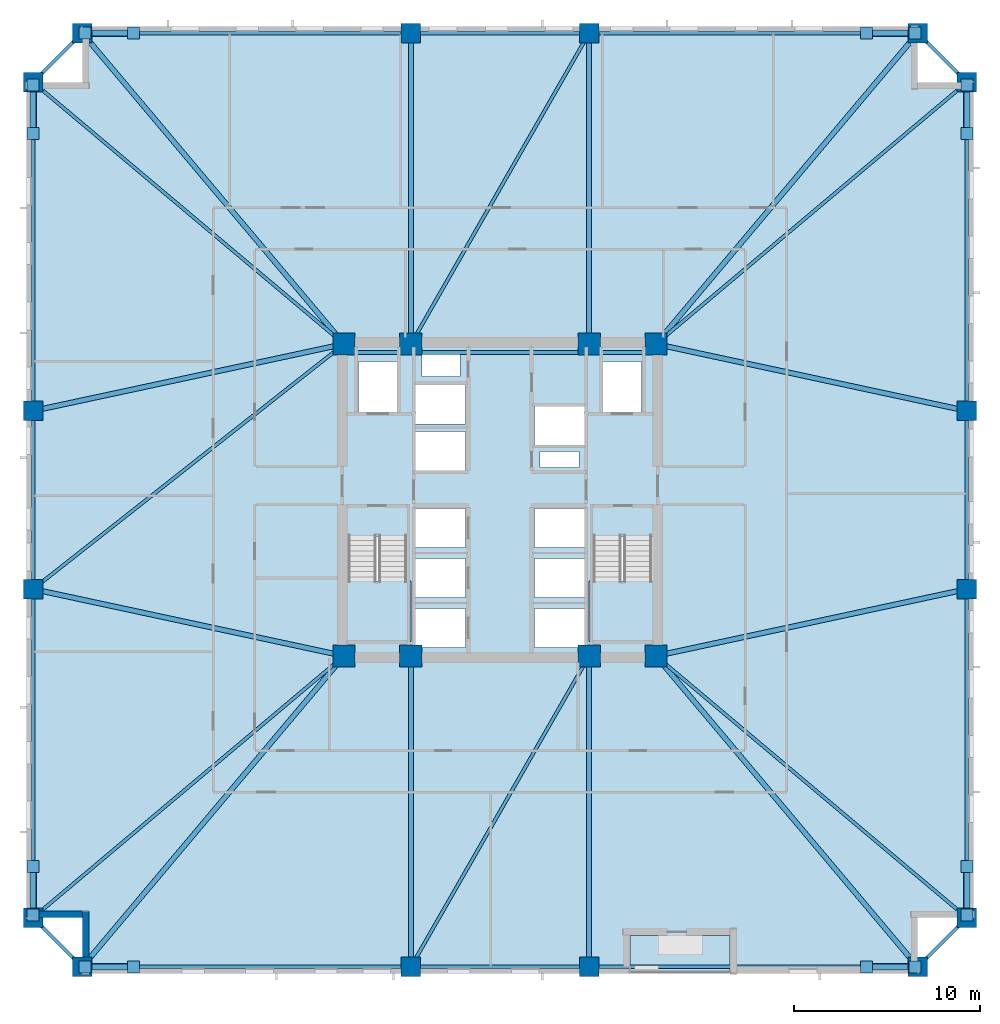
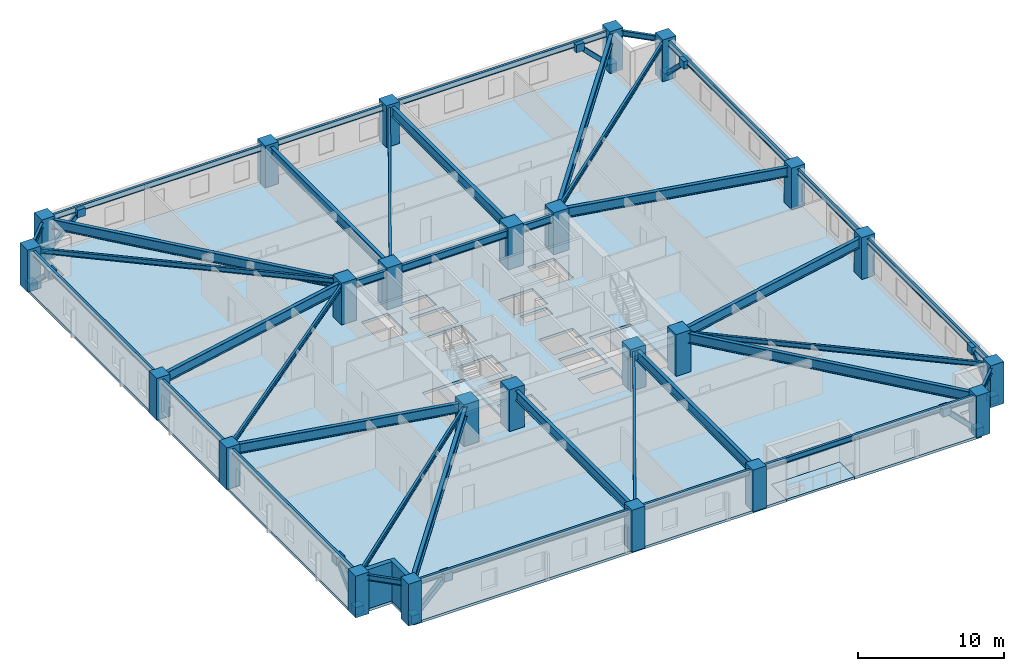
# One storey, part 1 of 11: 38 beams, 24 columns, 16 plates, 8 members, 4 slabs, 2 walls, 2 elements without a shape of their own.
"""IFC4 building model written with IfcOpenShell, lengths in metres."""

import ifcopenshell
import ifcopenshell.guid

model = None  # the IFC model being written
_history = None  # IfcOwnerHistory: only IFC2X3 demands one
_inside = {}  # id of a spatial element -> (the spatial element, [elements in it])
_under = {}  # id of a project, library or spatial element -> (it, [spatial elements below it])
_declared = {}  # id of a project -> (the project, [libraries it declares])
_typed = {}  # id of a type object -> (the type object, [elements of that type])
_made_of = {}  # id of a material, layer set ... -> (it, [elements and type objects made of it])


def new_model(schema):
    """Start an empty IFC model of exactly this schema.

    Asked for "IFC4X3", IfcOpenShell would pick the latest addendum, in which some entities
    have other attributes; the version numbers below select the first issue.
    IFC2X3 requires an IfcOwnerHistory on every rooted entity: one is made here for all.
    """
    global model, _history
    if schema == "IFC4X3":
        model = ifcopenshell.file(schema_version=(4, 3, 0, 0))
    else:
        model = ifcopenshell.file(schema=schema)
    _inside.clear()
    _under.clear()
    _declared.clear()
    _typed.clear()
    _made_of.clear()
    _history = None
    if model.schema == "IFC2X3":
        org = make("IfcOrganization", Name="unknown")
        user = make(
            "IfcPersonAndOrganization",
            ThePerson=make("IfcPerson", FamilyName="unknown"),
            TheOrganization=org,
        )
        app = make(
            "IfcApplication",
            ApplicationDeveloper=org,
            Version="unknown",
            ApplicationFullName="unknown",
            ApplicationIdentifier="unknown",
        )
        _history = make(
            "IfcOwnerHistory",
            OwningUser=user,
            OwningApplication=app,
            ChangeAction="ADDED",
            CreationDate=0,
        )
    return model


def make(cls, **values):
    """One entity of the class cls with the attributes given. An attribute that is None is left unset."""
    return model.create_entity(
        cls, **{name: value for name, value in values.items() if value is not None}
    )


def rooted(cls, **values):
    """An entity with a GlobalId (a new one), such as an element, a storey or a relation."""
    return make(cls, GlobalId=ifcopenshell.guid.new(), OwnerHistory=_history, **values)


def si_unit(unit_type, name, prefix=None):
    """IfcSIUnit, for example si_unit("LENGTHUNIT", "METRE", prefix="MILLI")."""
    return make("IfcSIUnit", UnitType=unit_type, Prefix=prefix, Name=name)


def assignment(units):
    """IfcUnitAssignment: the units of a project."""
    return None if units is None else make("IfcUnitAssignment", Units=units)


def point(xyz):
    """IfcCartesianPoint."""
    return None if xyz is None else make("IfcCartesianPoint", Coordinates=xyz)


def direction(xyz):
    """IfcDirection."""
    return None if xyz is None else make("IfcDirection", DirectionRatios=xyz)


def frame(location, z_axis=None, x_axis=None):
    """IfcAxis2Placement3D, a coordinate frame: its origin and axes. An axis left out is left unset."""
    return make(
        "IfcAxis2Placement3D",
        Location=point(location),
        Axis=direction(z_axis),
        RefDirection=direction(x_axis),
    )


def frame_2d(location, x_axis=None):
    """IfcAxis2Placement2D, a coordinate frame in the plane: its origin and x axis."""
    return make(
        "IfcAxis2Placement2D", Location=point(location), RefDirection=direction(x_axis)
    )


def origin():
    """The frame at (0, 0, 0) with its axes left unset."""
    return frame((0.0, 0.0, 0.0))


def origin_2d():
    """The frame at (0, 0) in the plane with its x axis left unset."""
    return frame_2d((0.0, 0.0))


def place(relative_to, where):
    """IfcLocalPlacement: puts the frame where relative to a parent placement (None: the world)."""
    return make(
        "IfcLocalPlacement", PlacementRelTo=relative_to, RelativePlacement=where
    )


def context(
    kind, dimensions, precision=None, world=None, true_north=None, identifier=None
):
    """IfcGeometricRepresentationContext, for example the 3D "Model" context."""
    return make(
        "IfcGeometricRepresentationContext",
        ContextIdentifier=identifier,
        ContextType=kind,
        CoordinateSpaceDimension=dimensions,
        Precision=precision,
        WorldCoordinateSystem=world,
        TrueNorth=true_north,
    )


def subcontext(parent, identifier, kind, view, scale=None):
    """IfcGeometricRepresentationSubContext, for example "Body" below "Model"."""
    return make(
        "IfcGeometricRepresentationSubContext",
        ContextIdentifier=identifier,
        ContextType=kind,
        ParentContext=parent,
        TargetScale=scale,
        TargetView=view,
    )


def project(units=None, contexts=None):
    """IfcProject with its units and contexts."""
    return rooted(
        "IfcProject",
        Name="project",
        RepresentationContexts=contexts,
        UnitsInContext=assignment(units),
    )


def spatial(cls, under=None, at=None, **own):
    """A site, building, storey or space (cls), placed at a placement, below another one or the project."""
    s = rooted(cls, ObjectPlacement=at, **own)
    if under is not None:
        _under.setdefault(under.id(), (under, []))[1].append(s)
    return s


def polyline(points):
    """IfcPolyline through the points."""
    return make("IfcPolyline", Points=[point(p) for p in points])


def profile(cls, at=None, kind="AREA", **sizes):
    """A parametric profile (cls). Its sizes go by their IFC names, for example OverallWidth=200.0."""
    return make(cls, ProfileType=kind, Position=at, **sizes)


def rectangle(**sizes):
    """IfcRectangleProfileDef."""
    return profile("IfcRectangleProfileDef", **sizes)


def hollow_rectangle(**sizes):
    """IfcRectangleHollowProfileDef."""
    return profile("IfcRectangleHollowProfileDef", **sizes)


def i_section(**sizes):
    """IfcIShapeProfileDef."""
    return profile("IfcIShapeProfileDef", **sizes)


def outline(outer, holes=None, kind="AREA"):
    """IfcArbitraryClosedProfileDef: a profile drawn as a closed curve; with holes, ...WithVoids."""
    if holes is None:
        return make("IfcArbitraryClosedProfileDef", ProfileType=kind, OuterCurve=outer)
    return make(
        "IfcArbitraryProfileDefWithVoids",
        ProfileType=kind,
        OuterCurve=outer,
        InnerCurves=holes,
    )


def extrude(swept, where, along, depth):
    """IfcExtrudedAreaSolid: the profile swept, set in the frame where, extruded along a direction by depth."""
    return make(
        "IfcExtrudedAreaSolid",
        SweptArea=swept,
        Position=where,
        ExtrudedDirection=direction(along),
        Depth=depth,
    )


def shape(context_of_items, identifier, shape_type, items):
    """IfcShapeRepresentation: the items that make up one representation, for example the "Body"."""
    return make(
        "IfcShapeRepresentation",
        ContextOfItems=context_of_items,
        RepresentationIdentifier=identifier,
        RepresentationType=shape_type,
        Items=items,
    )


def material(Name=None, Category=None):
    """IfcMaterial."""
    return make("IfcMaterial", Name=Name, Category=Category)


def layer(
    of_material, thickness, ventilated=None, Name=None, Category=None, Priority=None
):
    """IfcMaterialLayer: one layer of a wall or slab, of a material (None: an air gap)."""
    return make(
        "IfcMaterialLayer",
        Material=of_material,
        LayerThickness=thickness,
        IsVentilated=ventilated,
        Name=Name,
        Category=Category,
        Priority=Priority,
    )


def layer_set(layers, Name=None):
    """IfcMaterialLayerSet."""
    return make("IfcMaterialLayerSet", MaterialLayers=layers, LayerSetName=Name)


def material_profile(
    of_material, cross_section, Name=None, Category=None, Priority=None
):
    """IfcMaterialProfile: a cross section and its material."""
    return make(
        "IfcMaterialProfile",
        Name=Name,
        Material=of_material,
        Profile=cross_section,
        Priority=Priority,
        Category=Category,
    )


def profile_set(profiles, Name=None, composite=None):
    """IfcMaterialProfileSet."""
    return make(
        "IfcMaterialProfileSet",
        Name=Name,
        MaterialProfiles=profiles,
        CompositeProfile=composite,
    )


def made_of(thing, what):
    """Note that an element or type object is made of a material, layer set ...; save() writes the relation."""
    if what is not None:
        _made_of.setdefault(what.id(), (what, []))[1].append(thing)
    return thing


def type_object(cls, material=None, **own):
    """A type object (cls), such as IfcWallType, which elements share."""
    return made_of(rooted(cls, **own), material)


def element(
    cls,
    number,
    at=None,
    inside=None,
    cuts=None,
    type_object=None,
    material=None,
    context=None,
    identifier="Body",
    shape_type=None,
    held_by="IfcProductDefinitionShape",
    body=None,
    shapes=None,
    **own,
):
    """One element of the class cls, such as IfcWall. Its Tag is "e" and its number.

    at: its placement. inside: the storey or other place that contains it. cuts: it is an
    opening in that element (IfcRelVoidsElement). A single representation is given by context,
    identifier, shape_type and body (its items); several are given by shapes. held_by: the class
    of the entity that holds the representations. save() writes the other relations.
    """
    e = rooted(cls, Tag="e%d" % number, ObjectPlacement=at, **own)
    if body is not None:
        shapes = [shape(context, identifier, shape_type, body)]
    if shapes is not None:
        e.Representation = make(held_by, Representations=shapes)
    if inside is not None:
        _inside.setdefault(inside.id(), (inside, []))[1].append(e)
    if cuts is not None:
        rooted(
            "IfcRelVoidsElement", RelatingBuildingElement=cuts, RelatedOpeningElement=e
        )
    if type_object is not None:
        _typed.setdefault(type_object.id(), (type_object, []))[1].append(e)
    return made_of(e, material)


def aggregate(whole, parts):
    """IfcRelAggregates: a whole, such as a stair, and the parts it consists of."""
    return rooted("IfcRelAggregates", RelatingObject=whole, RelatedObjects=parts)


def save(model, path):
    """Write the relations noted so far, then the file.

    IfcRelAggregates (storeys below a building ...), IfcRelContainedInSpatialStructure (elements
    in a storey), IfcRelDefinesByType, IfcRelAssociatesMaterial and IfcRelDeclares: one each for
    every whole, place, type object, material and project.
    """
    for whole, parts in _under.values():
        aggregate(whole, parts)
    for where, things in _inside.values():
        rooted(
            "IfcRelContainedInSpatialStructure",
            RelatedElements=things,
            RelatingStructure=where,
        )
    for kind, things in _typed.values():
        rooted("IfcRelDefinesByType", RelatedObjects=things, RelatingType=kind)
    for what, things in _made_of.values():
        rooted("IfcRelAssociatesMaterial", RelatedObjects=things, RelatingMaterial=what)
    for by, libraries in _declared.values():
        rooted("IfcRelDeclares", RelatingContext=by, RelatedDefinitions=libraries)
    model.write(path)


model = new_model("IFC4")

# Units and contexts
model_context = context("Model", 3, precision=1e-05, world=origin(), true_north=direction((0.0, 1.0)))
body_context = subcontext(model_context, "Body", "Model", "MODEL_VIEW")
ifc_project = project(units=[si_unit("LENGTHUNIT", "METRE"), si_unit("AREAUNIT", "SQUARE_METRE"), si_unit("VOLUMEUNIT", "CUBIC_METRE"), si_unit("PLANEANGLEUNIT", "RADIAN"), si_unit("MASSUNIT", "GRAM", prefix="KILO")], contexts=[model_context])

# Site, building, storey
site_placement = place(None, origin())
site = spatial("IfcSite", under=ifc_project, at=site_placement, CompositionType="ELEMENT")
building_placement = place(site_placement, origin())
building = spatial("IfcBuilding", under=site, at=building_placement, Name="Cairnveth Concourse Tower", CompositionType="ELEMENT")
storey_placement = place(building_placement, frame((0.0, 0.0, 51.5)))
storey = spatial("IfcBuildingStorey", under=building, at=storey_placement, Name="L13", CompositionType="ELEMENT", Elevation=51.5)

# Columns
ifc_material_1 = material(Name="Concrete N80 (80 MPa)", Category="concrete")
ifc_material_profile_1 = material_profile(ifc_material_1, rectangle(XDim=1.199951171875, YDim=1.199951171875, at=origin_2d()), Name="RC-COL-1200x1200")
ifc_profile_set_1 = profile_set([ifc_material_profile_1], Name="Concrete N80 (80 MPa)")
column_type_1 = type_object("IfcColumnType", Name="CORE COLUMN 1200X1200", PredefinedType="COLUMN", material=ifc_profile_set_1)
for number, where, z_axis, x_axis, name in (
    (1, (43.60009765625, 30.60009765625, 0.0), (0.0, 0.0, 1.0), (1.0, 0.0, 0.0), "Column CC1 L13"),
    (2, (47.199951171875, 30.60009765625, 0.0), (0.0, 0.0, 1.0), (1.0, 0.0, 0.0), "Column CC2 L13"),
    (3, (56.800048828125, 30.60009765625, 0.0), (0.0, 0.0, 1.0), (1.0, 0.0, 0.0), "Column CC3 L13"),
    (4, (60.39990234375, 30.60009765625, 0.0), (0.0, 0.0, 1.0), (1.0, 0.0, 0.0), "Column CC4 L13"),
    (5, (43.60009765625, 47.39990234375, 0.0), (0.0, 0.0, 1.0), (1.0, 0.0, 0.0), "Column CC5 L13"),
    (6, (47.199951171875, 47.39990234375, 0.0), (0.0, 0.0, 1.0), (1.0, 0.0, 0.0), "Column CC6 L13"),
    (7, (56.800048828125, 47.39990234375, 0.0), (0.0, 0.0, 1.0), (1.0, 0.0, 0.0), "Column CC7 L13"),
    (8, (60.39990234375, 47.39990234375, 0.0), (0.0, 0.0, 1.0), (1.0, 0.0, 0.0), "Column CC8 L13"),
):
    element("IfcColumn", number, at=place(storey_placement, frame(where, z_axis=z_axis, x_axis=x_axis)), inside=storey, type_object=column_type_1, Name=name, PredefinedType="COLUMN", context=body_context, shape_type="SweptSolid", body=[
        extrude(rectangle(XDim=1.199951171875, YDim=1.199951171875, at=origin_2d()), origin(), (0.0, 0.0, 1.0), 3.5),
    ])
ifc_material_2 = material(Name="Concrete N65 (65 MPa)", Category="concrete")
ifc_material_profile_2 = material_profile(ifc_material_2, rectangle(XDim=1.050048828125, YDim=1.050048828125, at=origin_2d()), Name="RC-COL-1050x1050")
ifc_profile_set_2 = profile_set([ifc_material_profile_2], Name="Concrete N65 (65 MPa)")
column_type_2 = type_object("IfcColumnType", Name="PERIMETER PIER COLUMN 1050X1050", PredefinedType="COLUMN", material=ifc_profile_set_2)
for number, where, z_axis, x_axis, name in (
    (9, (29.5, 13.85009765625, 0.0), (0.0, 0.0, 1.0), (1.0, 0.0, 0.0), "Column P-S1 L13"),
    (10, (47.199951171875, 13.85009765625, 0.0), (0.0, 0.0, 1.0), (1.0, 0.0, 0.0), "Column P-S2 L13"),
    (11, (56.800048828125, 13.85009765625, 0.0), (0.0, 0.0, 1.0), (1.0, 0.0, 0.0), "Column P-S3 L13"),
    (12, (74.5, 13.85009765625, 0.0), (0.0, 0.0, 1.0), (1.0, 0.0, 0.0), "Column P-S4 L13"),
    (13, (77.14990234375, 16.5, 0.0), (0.0, 0.0, 1.0), (0.0, 1.0, 0.0), "Column P-E1 L13"),
    (14, (77.14990234375, 34.199951171875, 0.0), (0.0, 0.0, 1.0), (0.0, 1.0, 0.0), "Column P-E2 L13"),
    (15, (77.14990234375, 43.800048828125, 0.0), (0.0, 0.0, 1.0), (0.0, 1.0, 0.0), "Column P-E3 L13"),
    (16, (77.14990234375, 61.5, 0.0), (0.0, 0.0, 1.0), (0.0, 1.0, 0.0), "Column P-E4 L13"),
    (17, (74.5, 64.14990234375, 0.0), (0.0, 0.0, 1.0), (1.0, 0.0, 0.0), "Column P-N1 L13"),
    (18, (56.800048828125, 64.14990234375, 0.0), (0.0, 0.0, 1.0), (1.0, 0.0, 0.0), "Column P-N2 L13"),
    (19, (47.199951171875, 64.14990234375, 0.0), (0.0, 0.0, 1.0), (1.0, 0.0, 0.0), "Column P-N3 L13"),
    (20, (29.5, 64.14990234375, 0.0), (0.0, 0.0, 1.0), (1.0, 0.0, 0.0), "Column P-N4 L13"),
    (21, (26.85009765625, 61.5, 0.0), (0.0, 0.0, 1.0), (0.0, 1.0, 0.0), "Column P-W1 L13"),
    (22, (26.85009765625, 43.800048828125, 0.0), (0.0, 0.0, 1.0), (0.0, 1.0, 0.0), "Column P-W2 L13"),
    (23, (26.85009765625, 34.199951171875, 0.0), (0.0, 0.0, 1.0), (0.0, 1.0, 0.0), "Column P-W3 L13"),
    (24, (26.85009765625, 16.5, 0.0), (0.0, 0.0, 1.0), (0.0, 1.0, 0.0), "Column P-W4 L13"),
):
    element("IfcColumn", number, at=place(storey_placement, frame(where, z_axis=z_axis, x_axis=x_axis)), inside=storey, type_object=column_type_2, Name=name, PredefinedType="COLUMN", context=body_context, shape_type="SweptSolid", body=[
        extrude(rectangle(XDim=1.050048828125, YDim=1.050048828125, at=origin_2d()), origin(), (0.0, 0.0, 1.0), 3.5),
    ])

# Beams
ifc_material_3 = material(Name="Steel Grade 350", Category="steel")
ifc_material_profile_3 = material_profile(ifc_material_3, i_section(OverallWidth=0.22802734375, OverallDepth=0.60693359375, WebThickness=0.01123046875, FlangeThickness=0.017333984375, FilletRadius=0.013916015625, at=origin_2d()), Name="610UB113")
ifc_profile_set_3 = profile_set([ifc_material_profile_3], Name="Steel Grade 350")
beam_type_1 = type_object("IfcBeamType", Name="CORE TIE BEAM 610UB113", PredefinedType="T_BEAM", material=ifc_profile_set_3)
for number, where, z_axis, x_axis, name in (
    (25, (43.60009765625, 46.949951171875, 2.9765625), (1.0, 0.0, 0.0), (0.0, 1.0, 0.0), "Beam CT-N1 L13"),
    (26, (56.800048828125, 46.949951171875, 2.9765625), (1.0, 0.0, 0.0), (0.0, 1.0, 0.0), "Beam CT-N3 L13"),
):
    element("IfcBeam", number, at=place(storey_placement, frame(where, z_axis=z_axis, x_axis=x_axis)), inside=storey, type_object=beam_type_1, Name=name, PredefinedType="T_BEAM", context=body_context, shape_type="SweptSolid", body=[
        extrude(i_section(OverallWidth=0.22802734375, OverallDepth=0.60693359375, WebThickness=0.01123046875, FlangeThickness=0.017333984375, FilletRadius=0.013916015625, at=origin_2d()), origin(), (0.0, 0.0, 1.0), 3.599853515625),
    ])
beam_1_placement = place(storey_placement, frame((47.199951171875, 46.949951171875, 2.9765625), z_axis=(1.0, 0.0, 0.0), x_axis=(0.0, 1.0, 0.0)))
element("IfcBeam", 27, at=beam_1_placement, inside=storey, type_object=beam_type_1, Name="Beam CT-N2 L13", PredefinedType="T_BEAM", context=body_context, shape_type="SweptSolid", body=[
    extrude(i_section(OverallWidth=0.22802734375, OverallDepth=0.60693359375, WebThickness=0.01123046875, FlangeThickness=0.017333984375, FilletRadius=0.013916015625, at=origin_2d()), origin(), (0.0, 0.0, 1.0), 9.60009765625),
])
ifc_material_profile_4 = material_profile(ifc_material_3, i_section(OverallWidth=0.177978515625, OverallDepth=0.406005859375, WebThickness=0.0078125, FlangeThickness=0.0126953125, FilletRadius=0.010986328125, at=origin_2d()), Name="410UB59.7")
ifc_profile_set_4 = profile_set([ifc_material_profile_4], Name="Steel Grade 350")
beam_type_2 = type_object("IfcBeamType", Name="ZONE 1 FLOOR JOIST 410UB59.7", PredefinedType="JOIST", material=ifc_profile_set_4)
for number, where, z_axis, x_axis, name in (
    (28, (26.85009765625, 16.5, 3.076904296875), (0.765027427674, 0.643997697905, 0.0), (-0.643997697905, 0.765027427674, 0.0), "Beam FJ-CSW2 L13"),
    (29, (77.14990234375, 16.5, 3.076904296875), (-0.765027427674, 0.643997697905, 0.0), (-0.643997697905, -0.765027427674, 0.0), "Beam FJ-CSE2 L13"),
    (30, (77.14990234375, 61.5, 3.076904296875), (-0.765027427674, -0.643997697905, 0.0), (0.643997697905, -0.765027427674, 0.0), "Beam FJ-CNE2 L13"),
    (31, (26.85009765625, 61.5, 3.076904296875), (0.765027427674, -0.643997697905, 0.0), (0.643997697905, 0.765027427674, 0.0), "Beam FJ-CNW2 L13"),
):
    element("IfcBeam", number, at=place(storey_placement, frame(where, z_axis=z_axis, x_axis=x_axis)), inside=storey, type_object=beam_type_2, Name=name, PredefinedType="JOIST", context=body_context, shape_type="SweptSolid", body=[
        extrude(i_section(OverallWidth=0.177978515625, OverallDepth=0.406005859375, WebThickness=0.0078125, FlangeThickness=0.0126953125, FilletRadius=0.010986328125, at=origin_2d()), origin(), (0.0, 0.0, 1.0), 21.89453125),
    ])
for number, where, z_axis, x_axis, name in (
    (32, (47.199951171875, 13.85009765625, 3.076904296875), (0.497257970706, 0.86760273776, 0.0), (-0.86760273776, 0.497257970706, 0.0), "Beam FJ-S-M1 L13"),
    (33, (47.199951171875, 47.39990234375, 3.076904296875), (0.497257970706, 0.86760273776, 0.0), (-0.86760273776, 0.497257970706, 0.0), "Beam FJ-N-M1 L13"),
):
    element("IfcBeam", number, at=place(storey_placement, frame(where, z_axis=z_axis, x_axis=x_axis)), inside=storey, type_object=beam_type_2, Name=name, PredefinedType="JOIST", context=body_context, shape_type="SweptSolid", body=[
        extrude(i_section(OverallWidth=0.177978515625, OverallDepth=0.406005859375, WebThickness=0.0078125, FlangeThickness=0.0126953125, FilletRadius=0.010986328125, at=origin_2d()), origin(), (0.0, 0.0, 1.0), 19.30615234375),
    ])
beam_2_placement = place(storey_placement, frame((26.85009765625, 34.199951171875, 3.076904296875), z_axis=(0.785423705995, 0.618958481694, 0.0), x_axis=(-0.618958481694, 0.785423705995, 0.0)))
element("IfcBeam", 34, at=beam_2_placement, inside=storey, type_object=beam_type_2, Name="Beam FJ-W-M1 L13", PredefinedType="JOIST", context=body_context, shape_type="SweptSolid", body=[
    extrude(i_section(OverallWidth=0.177978515625, OverallDepth=0.406005859375, WebThickness=0.0078125, FlangeThickness=0.0126953125, FilletRadius=0.010986328125, at=origin_2d()), origin(), (0.0, 0.0, 1.0), 21.326171875),
])

# Members
ifc_material_4 = material(Name="Steel C350L0 (350 MPa)", Category="steel")
ifc_material_profile_5 = material_profile(ifc_material_4, hollow_rectangle(XDim=0.35009765625, YDim=0.35009765625, WallThickness=0.01611328125, InnerFilletRadius=0.01611328125, OuterFilletRadius=0.031982421875, at=origin_2d()), Name="350x350x16.0SHS")
ifc_profile_set_5 = profile_set([ifc_material_profile_5], Name="Steel C350L0 (350 MPa)")
member_type = type_object("IfcMemberType", Name="ZONE 1 PIER BRACE 350X350X16SHS", PredefinedType="BRACE", material=ifc_profile_set_5)
for number, where, z_axis, x_axis, name in (
    (35, (29.64990234375, 13.85009765625, 0.25), (0.709834195787, 0.0, 0.704368805735), (0.0, 1.0, 0.0), "Structural Brace PB-S1 L13"),
    (36, (74.35009765625, 13.85009765625, 0.25), (-0.709834195787, 0.0, 0.704368805735), (0.0, -1.0, 0.0), "Structural Brace PB-S2 L13"),
    (37, (29.64990234375, 64.14990234375, 0.25), (0.709834195787, 0.0, 0.704368805735), (0.0, 1.0, 0.0), "Structural Brace PB-N1 L13"),
    (38, (74.35009765625, 64.14990234375, 0.25), (-0.709834195787, 0.0, 0.704368805735), (0.0, -1.0, 0.0), "Structural Brace PB-N2 L13"),
    (39, (26.85009765625, 16.64990234375, 0.25), (0.0, 0.709834195787, 0.704368805735), (-1.0, 0.0, 0.0), "Structural Brace PB-W1 L13"),
    (40, (26.85009765625, 61.35009765625, 0.25), (0.0, -0.709834195787, 0.704368805735), (1.0, 0.0, 0.0), "Structural Brace PB-W2 L13"),
    (41, (77.14990234375, 16.64990234375, 0.25), (0.0, 0.709834195787, 0.704368805735), (-1.0, 0.0, 0.0), "Structural Brace PB-E1 L13"),
    (42, (77.14990234375, 61.35009765625, 0.25), (0.0, -0.709834195787, 0.704368805735), (1.0, 0.0, 0.0), "Structural Brace PB-E2 L13"),
):
    element("IfcMember", number, at=place(storey_placement, frame(where, z_axis=z_axis, x_axis=x_axis)), inside=storey, type_object=member_type, Name=name, PredefinedType="BRACE", context=body_context, shape_type="SweptSolid", body=[
        extrude(hollow_rectangle(XDim=0.35009765625, YDim=0.35009765625, WallThickness=0.01611328125, InnerFilletRadius=0.01611328125, OuterFilletRadius=0.031982421875, at=origin_2d()), origin(), (0.0, 0.0, 1.0), 3.6630859375),
    ])

# Beams
ifc_material_profile_6 = material_profile(ifc_material_3, i_section(OverallWidth=0.27490234375, OverallDepth=0.81591796875, WebThickness=0.011962890625, FlangeThickness=0.028076171875, at=origin_2d()), Name="800WB192")
ifc_profile_set_6 = profile_set([ifc_material_profile_6], Name="Steel Grade 350")
beam_type_3 = type_object("IfcBeamType", Name="ZONE 1 RADIAL GIRDER 800WB192", PredefinedType="BEAM", material=ifc_profile_set_6)
for number, where, z_axis, x_axis, name in (
    (43, (47.199951171875, 13.85009765625, 2.8720703125), (0.0, 1.0, 0.0), (-1.0, 0.0, 0.0), "Beam RG-S1 L13"),
    (44, (56.800048828125, 13.85009765625, 2.8720703125), (0.0, 1.0, 0.0), (-1.0, 0.0, 0.0), "Beam RG-S2 L13"),
    (45, (47.199951171875, 47.39990234375, 2.8720703125), (0.0, 1.0, 0.0), (-1.0, 0.0, 0.0), "Beam RG-N1 L13"),
    (46, (56.800048828125, 47.39990234375, 2.8720703125), (0.0, 1.0, 0.0), (-1.0, 0.0, 0.0), "Beam RG-N2 L13"),
):
    element("IfcBeam", number, at=place(storey_placement, frame(where, z_axis=z_axis, x_axis=x_axis)), inside=storey, type_object=beam_type_3, Name=name, PredefinedType="BEAM", context=body_context, shape_type="SweptSolid", body=[
        extrude(i_section(OverallWidth=0.27490234375, OverallDepth=0.81591796875, WebThickness=0.011962890625, FlangeThickness=0.028076171875, at=origin_2d()), origin(), (0.0, 0.0, 1.0), 16.75),
    ])
for number, where, z_axis, x_axis, name in (
    (47, (26.85009765625, 34.199951171875, 2.8720703125), (0.977675861524, -0.210118799239, 0.0), (0.210118799239, 0.977675861524, 0.0), "Beam RG-W1 L13"),
    (48, (26.85009765625, 43.800048828125, 2.8720703125), (0.977675861524, 0.210118799239, 0.0), (-0.210118799239, 0.977675861524, 0.0), "Beam RG-W2 L13"),
    (49, (60.39990234375, 30.60009765625, 2.8720703125), (0.977675861524, 0.210118799239, 0.0), (-0.210118799239, 0.977675861524, 0.0), "Beam RG-E1 L13"),
    (50, (60.39990234375, 47.39990234375, 2.8720703125), (0.977675861524, -0.210118799239, 0.0), (0.210118799239, 0.977675861524, 0.0), "Beam RG-E2 L13"),
):
    element("IfcBeam", number, at=place(storey_placement, frame(where, z_axis=z_axis, x_axis=x_axis)), inside=storey, type_object=beam_type_3, Name=name, PredefinedType="BEAM", context=body_context, shape_type="SweptSolid", body=[
        extrude(i_section(OverallWidth=0.27490234375, OverallDepth=0.81591796875, WebThickness=0.011962890625, FlangeThickness=0.028076171875, at=origin_2d()), origin(), (0.0, 0.0, 1.0), 17.132568359375),
    ])
for number, where, z_axis, x_axis, name in (
    (51, (29.5, 13.85009765625, 2.8720703125), (0.643997697905, 0.765027427674, 0.0), (-0.765027427674, 0.643997697905, 0.0), "Beam RG-CSW L13"),
    (52, (74.5, 13.85009765625, 2.8720703125), (-0.643997697905, 0.765027427674, 0.0), (-0.765027427674, -0.643997697905, 0.0), "Beam RG-CSE L13"),
    (53, (74.5, 64.14990234375, 2.8720703125), (-0.643997697905, -0.765027427674, 0.0), (0.765027427674, -0.643997697905, 0.0), "Beam RG-CNE L13"),
    (54, (29.5, 64.14990234375, 2.8720703125), (0.643997697905, -0.765027427674, 0.0), (0.765027427674, 0.643997697905, 0.0), "Beam RG-CNW L13"),
):
    element("IfcBeam", number, at=place(storey_placement, frame(where, z_axis=z_axis, x_axis=x_axis)), inside=storey, type_object=beam_type_3, Name=name, PredefinedType="BEAM", context=body_context, shape_type="SweptSolid", body=[
        extrude(i_section(OverallWidth=0.27490234375, OverallDepth=0.81591796875, WebThickness=0.011962890625, FlangeThickness=0.028076171875, at=origin_2d()), origin(), (0.0, 0.0, 1.0), 21.89453125),
    ])
ifc_material_profile_7 = material_profile(ifc_material_3, i_section(OverallWidth=0.19091796875, OverallDepth=0.4599609375, WebThickness=0.010009765625, FlangeThickness=0.01611328125, FilletRadius=0.010986328125, at=origin_2d()), Name="460UB82.1")
ifc_profile_set_7 = profile_set([ifc_material_profile_7], Name="Steel Grade 350")
beam_type_4 = type_object("IfcBeamType", Name="ZONE 1 SPANDREL BEAM 460UB82.1", PredefinedType="SPANDREL", material=ifc_profile_set_7)
beam_3_placement = place(storey_placement, frame((29.5, 13.85009765625, 3.050048828125), z_axis=(1.0, 0.0, 0.0), x_axis=(0.0, 1.0, 0.0)))
element("IfcBeam", 55, at=beam_3_placement, inside=storey, type_object=beam_type_4, Name="Beam SP-S1 L13", PredefinedType="SPANDREL", context=body_context, shape_type="SweptSolid", body=[
    extrude(i_section(OverallWidth=0.19091796875, OverallDepth=0.4599609375, WebThickness=0.010009765625, FlangeThickness=0.01611328125, FilletRadius=0.010986328125, at=origin_2d()), origin(), (0.0, 0.0, 1.0), 17.699951171875),
])
beam_4_placement = place(storey_placement, frame((47.199951171875, 13.85009765625, 3.050048828125), z_axis=(1.0, 0.0, 0.0), x_axis=(0.0, 1.0, 0.0)))
element("IfcBeam", 56, at=beam_4_placement, inside=storey, type_object=beam_type_4, Name="Beam SP-S2 L13", PredefinedType="SPANDREL", context=body_context, shape_type="SweptSolid", body=[
    extrude(i_section(OverallWidth=0.19091796875, OverallDepth=0.4599609375, WebThickness=0.010009765625, FlangeThickness=0.01611328125, FilletRadius=0.010986328125, at=origin_2d()), origin(), (0.0, 0.0, 1.0), 9.60009765625),
])
for number, where, z_axis, x_axis, name in (
    (57, (56.800048828125, 13.85009765625, 3.050048828125), (1.0, 0.0, 0.0), (0.0, 1.0, 0.0), "Beam SP-S3 L13"),
    (58, (29.5, 64.14990234375, 3.050048828125), (1.0, 0.0, 0.0), (0.0, 1.0, 0.0), "Beam SP-N1 L13"),
):
    element("IfcBeam", number, at=place(storey_placement, frame(where, z_axis=z_axis, x_axis=x_axis)), inside=storey, type_object=beam_type_4, Name=name, PredefinedType="SPANDREL", context=body_context, shape_type="SweptSolid", body=[
        extrude(i_section(OverallWidth=0.19091796875, OverallDepth=0.4599609375, WebThickness=0.010009765625, FlangeThickness=0.01611328125, FilletRadius=0.010986328125, at=origin_2d()), origin(), (0.0, 0.0, 1.0), 17.699951171875),
    ])
beam_5_placement = place(storey_placement, frame((47.199951171875, 64.14990234375, 3.050048828125), z_axis=(1.0, 0.0, 0.0), x_axis=(0.0, 1.0, 0.0)))
element("IfcBeam", 59, at=beam_5_placement, inside=storey, type_object=beam_type_4, Name="Beam SP-N2 L13", PredefinedType="SPANDREL", context=body_context, shape_type="SweptSolid", body=[
    extrude(i_section(OverallWidth=0.19091796875, OverallDepth=0.4599609375, WebThickness=0.010009765625, FlangeThickness=0.01611328125, FilletRadius=0.010986328125, at=origin_2d()), origin(), (0.0, 0.0, 1.0), 9.60009765625),
])
for number, where, z_axis, x_axis, name in (
    (60, (56.800048828125, 64.14990234375, 3.050048828125), (1.0, 0.0, 0.0), (0.0, 1.0, 0.0), "Beam SP-N3 L13"),
    (61, (26.85009765625, 16.5, 3.050048828125), (0.0, 1.0, 0.0), (-1.0, 0.0, 0.0), "Beam SP-W1 L13"),
):
    element("IfcBeam", number, at=place(storey_placement, frame(where, z_axis=z_axis, x_axis=x_axis)), inside=storey, type_object=beam_type_4, Name=name, PredefinedType="SPANDREL", context=body_context, shape_type="SweptSolid", body=[
        extrude(i_section(OverallWidth=0.19091796875, OverallDepth=0.4599609375, WebThickness=0.010009765625, FlangeThickness=0.01611328125, FilletRadius=0.010986328125, at=origin_2d()), origin(), (0.0, 0.0, 1.0), 17.699951171875),
    ])
beam_6_placement = place(storey_placement, frame((26.85009765625, 34.199951171875, 3.050048828125), z_axis=(0.0, 1.0, 0.0), x_axis=(-1.0, 0.0, 0.0)))
element("IfcBeam", 62, at=beam_6_placement, inside=storey, type_object=beam_type_4, Name="Beam SP-W2 L13", PredefinedType="SPANDREL", context=body_context, shape_type="SweptSolid", body=[
    extrude(i_section(OverallWidth=0.19091796875, OverallDepth=0.4599609375, WebThickness=0.010009765625, FlangeThickness=0.01611328125, FilletRadius=0.010986328125, at=origin_2d()), origin(), (0.0, 0.0, 1.0), 9.60009765625),
])
for number, where, z_axis, x_axis, name in (
    (63, (26.85009765625, 43.800048828125, 3.050048828125), (0.0, 1.0, 0.0), (-1.0, 0.0, 0.0), "Beam SP-W3 L13"),
    (64, (77.14990234375, 16.5, 3.050048828125), (0.0, 1.0, 0.0), (-1.0, 0.0, 0.0), "Beam SP-E1 L13"),
):
    element("IfcBeam", number, at=place(storey_placement, frame(where, z_axis=z_axis, x_axis=x_axis)), inside=storey, type_object=beam_type_4, Name=name, PredefinedType="SPANDREL", context=body_context, shape_type="SweptSolid", body=[
        extrude(i_section(OverallWidth=0.19091796875, OverallDepth=0.4599609375, WebThickness=0.010009765625, FlangeThickness=0.01611328125, FilletRadius=0.010986328125, at=origin_2d()), origin(), (0.0, 0.0, 1.0), 17.699951171875),
    ])
beam_7_placement = place(storey_placement, frame((77.14990234375, 34.199951171875, 3.050048828125), z_axis=(0.0, 1.0, 0.0), x_axis=(-1.0, 0.0, 0.0)))
element("IfcBeam", 65, at=beam_7_placement, inside=storey, type_object=beam_type_4, Name="Beam SP-E2 L13", PredefinedType="SPANDREL", context=body_context, shape_type="SweptSolid", body=[
    extrude(i_section(OverallWidth=0.19091796875, OverallDepth=0.4599609375, WebThickness=0.010009765625, FlangeThickness=0.01611328125, FilletRadius=0.010986328125, at=origin_2d()), origin(), (0.0, 0.0, 1.0), 9.60009765625),
])
beam_8_placement = place(storey_placement, frame((77.14990234375, 43.800048828125, 3.050048828125), z_axis=(0.0, 1.0, 0.0), x_axis=(-1.0, 0.0, 0.0)))
element("IfcBeam", 66, at=beam_8_placement, inside=storey, type_object=beam_type_4, Name="Beam SP-E3 L13", PredefinedType="SPANDREL", context=body_context, shape_type="SweptSolid", body=[
    extrude(i_section(OverallWidth=0.19091796875, OverallDepth=0.4599609375, WebThickness=0.010009765625, FlangeThickness=0.01611328125, FilletRadius=0.010986328125, at=origin_2d()), origin(), (0.0, 0.0, 1.0), 17.699951171875),
])
for number, where, z_axis, x_axis, name in (
    (67, (26.85009765625, 16.5, 3.050048828125), (0.707106781187, -0.707106781187, 0.0), (0.707106781187, 0.707106781187, 0.0), "Beam SP-SW L13"),
    (68, (74.5, 13.85009765625, 3.050048828125), (0.707106781187, 0.707106781187, 0.0), (-0.707106781187, 0.707106781187, 0.0), "Beam SP-SE L13"),
    (69, (74.5, 64.14990234375, 3.050048828125), (0.707106781187, -0.707106781187, 0.0), (0.707106781187, 0.707106781187, 0.0), "Beam SP-NE L13"),
    (70, (26.85009765625, 61.5, 3.050048828125), (0.707106781187, 0.707106781187, 0.0), (-0.707106781187, 0.707106781187, 0.0), "Beam SP-NW L13"),
):
    element("IfcBeam", number, at=place(storey_placement, frame(where, z_axis=z_axis, x_axis=x_axis)), inside=storey, type_object=beam_type_4, Name=name, PredefinedType="SPANDREL", context=body_context, shape_type="SweptSolid", body=[
        extrude(i_section(OverallWidth=0.19091796875, OverallDepth=0.4599609375, WebThickness=0.010009765625, FlangeThickness=0.01611328125, FilletRadius=0.010986328125, at=origin_2d()), origin(), (0.0, 0.0, 1.0), 3.74755859375),
    ])

# Slab
ifc_material_5 = material(Name="Concrete N50 (50 MPa)", Category="concrete")
ifc_layer_1 = layer(ifc_material_5, 0.219970703125)
ifc_layer_set_1 = layer_set([ifc_layer_1], Name="Concrete N50 (50 MPa)")
slab_type_1 = type_object("IfcSlabType", Name="LOWER TOWER COMPOSITE SLAB 220", PredefinedType="FLOOR", material=ifc_layer_set_1)
slab_1_placement = place(storey_placement, frame((0.0, 0.0, -0.219970703125)))
element("IfcSlab", 71, at=slab_1_placement, inside=storey, type_object=slab_type_1, Name="Tower Floor Slab L13", PredefinedType="FLOOR", context=body_context, shape_type="SweptSolid", body=[
    extrude(outline(polyline([(59.0, 13.5), (59.0, 15.550048828125), (64.39990234375, 15.550048828125), (64.39990234375, 13.5), (74.5, 13.5), (74.5, 16.5), (77.5, 16.5), (77.5, 61.5), (74.5, 61.5), (74.5, 64.5), (29.5, 64.5), (29.5, 61.5), (26.5, 61.5), (26.5, 16.5), (29.5, 16.5), (29.5, 13.5), (59.0, 13.5)]), holes=[polyline([(43.760009765625, 31.360107421875), (47.06005859375, 31.360107421875), (47.06005859375, 37.0400390625), (43.760009765625, 37.0400390625), (43.760009765625, 31.360107421875)]), polyline([(56.93994140625, 31.360107421875), (60.239990234375, 31.360107421875), (60.239990234375, 37.0400390625), (56.93994140625, 37.0400390625), (56.93994140625, 31.360107421875)]), polyline([(44.3701171875, 43.75), (46.469970703125, 43.75), (46.469970703125, 46.449951171875), (44.3701171875, 46.449951171875), (44.3701171875, 43.75)]), polyline([(57.530029296875, 43.75), (59.6298828125, 43.75), (59.6298828125, 46.449951171875), (57.530029296875, 46.449951171875), (57.530029296875, 43.75)]), polyline([(47.449951171875, 31.050048828125), (50.14990234375, 31.050048828125), (50.14990234375, 33.14990234375), (47.449951171875, 33.14990234375), (47.449951171875, 31.050048828125)]), polyline([(47.449951171875, 33.75), (50.14990234375, 33.75), (50.14990234375, 35.85009765625), (47.449951171875, 35.85009765625), (47.449951171875, 33.75)]), polyline([(47.449951171875, 36.449951171875), (50.14990234375, 36.449951171875), (50.14990234375, 38.550048828125), (47.449951171875, 38.550048828125), (47.449951171875, 36.449951171875)]), polyline([(53.85009765625, 31.050048828125), (56.550048828125, 31.050048828125), (56.550048828125, 33.14990234375), (53.85009765625, 33.14990234375), (53.85009765625, 31.050048828125)]), polyline([(53.85009765625, 33.75), (56.550048828125, 33.75), (56.550048828125, 35.85009765625), (53.85009765625, 35.85009765625), (53.85009765625, 33.75)]), polyline([(53.85009765625, 36.449951171875), (56.550048828125, 36.449951171875), (56.550048828125, 38.550048828125), (53.85009765625, 38.550048828125), (53.85009765625, 36.449951171875)]), polyline([(47.449951171875, 40.60009765625), (50.14990234375, 40.60009765625), (50.14990234375, 42.699951171875), (47.449951171875, 42.699951171875), (47.449951171875, 40.60009765625)]), polyline([(47.449951171875, 43.10009765625), (50.14990234375, 43.10009765625), (50.14990234375, 45.199951171875), (47.449951171875, 45.199951171875), (47.449951171875, 43.10009765625)]), polyline([(53.85009765625, 41.949951171875), (56.550048828125, 41.949951171875), (56.550048828125, 44.050048828125), (53.85009765625, 44.050048828125), (53.85009765625, 41.949951171875)]), polyline([(47.800048828125, 45.64990234375), (49.85009765625, 45.64990234375), (49.85009765625, 47.050048828125), (47.800048828125, 47.050048828125), (47.800048828125, 45.64990234375)]), polyline([(54.14990234375, 40.75), (56.25, 40.75), (56.25, 41.6201171875), (54.14990234375, 41.6201171875), (54.14990234375, 40.75)])]), origin(), (0.0, 0.0, 1.0), 0.219970703125),
])

# Plates
ifc_layer_2 = layer(ifc_material_3, 0.031982421875)
ifc_layer_set_2 = layer_set([ifc_layer_2], Name="Steel Grade 350")
plate_type = type_object("IfcPlateType", Name="PERIMETER BRACE GUSSET PLATE 32", PredefinedType="USERDEFINED", material=ifc_layer_set_2)
for number, where, z_axis, x_axis, name in (
    (72, (29.64990234375, 13.85009765625, -0.06982421875), (0.0, 0.0, 1.0), (1.0, 0.0, 0.0), "Structural Node Plate 0189 L13"),
    (73, (32.25, 13.85009765625, 2.51025390625), (0.0, 0.0, 1.0), (1.0, 0.0, 0.0), "Structural Node Plate 0190 L13"),
    (74, (74.35009765625, 13.85009765625, -0.06982421875), (0.0, 0.0, 1.0), (1.0, 0.0, 0.0), "Structural Node Plate 0191 L13"),
    (75, (71.75, 13.85009765625, 2.51025390625), (0.0, 0.0, 1.0), (1.0, 0.0, 0.0), "Structural Node Plate 0192 L13"),
    (76, (29.64990234375, 64.14990234375, -0.06982421875), (0.0, 0.0, 1.0), (1.0, 0.0, 0.0), "Structural Node Plate 0193 L13"),
    (77, (32.25, 64.14990234375, 2.51025390625), (0.0, 0.0, 1.0), (1.0, 0.0, 0.0), "Structural Node Plate 0194 L13"),
    (78, (74.35009765625, 64.14990234375, -0.06982421875), (0.0, 0.0, 1.0), (1.0, 0.0, 0.0), "Structural Node Plate 0195 L13"),
    (79, (71.75, 64.14990234375, 2.51025390625), (0.0, 0.0, 1.0), (1.0, 0.0, 0.0), "Structural Node Plate 0196 L13"),
    (80, (26.85009765625, 16.64990234375, -0.06982421875), (0.0, 0.0, 1.0), (1.0, 0.0, 0.0), "Structural Node Plate 0197 L13"),
    (81, (26.85009765625, 19.25, 2.51025390625), (0.0, 0.0, 1.0), (1.0, 0.0, 0.0), "Structural Node Plate 0198 L13"),
    (82, (26.85009765625, 61.35009765625, -0.06982421875), (0.0, 0.0, 1.0), (1.0, 0.0, 0.0), "Structural Node Plate 0199 L13"),
    (83, (26.85009765625, 58.75, 2.51025390625), (0.0, 0.0, 1.0), (1.0, 0.0, 0.0), "Structural Node Plate 0200 L13"),
    (84, (77.14990234375, 16.64990234375, -0.06982421875), (0.0, 0.0, 1.0), (1.0, 0.0, 0.0), "Structural Node Plate 0201 L13"),
    (85, (77.14990234375, 19.25, 2.51025390625), (0.0, 0.0, 1.0), (1.0, 0.0, 0.0), "Structural Node Plate 0202 L13"),
    (86, (77.14990234375, 61.35009765625, -0.06982421875), (0.0, 0.0, 1.0), (1.0, 0.0, 0.0), "Structural Node Plate 0203 L13"),
    (87, (77.14990234375, 58.75, 2.51025390625), (0.0, 0.0, 1.0), (1.0, 0.0, 0.0), "Structural Node Plate 0204 L13"),
):
    element("IfcPlate", number, at=place(storey_placement, frame(where, z_axis=z_axis, x_axis=x_axis)), inside=storey, type_object=plate_type, Name=name, ObjectType="GUSSET PLATE", PredefinedType="USERDEFINED", context=body_context, shape_type="SweptSolid", body=[
        extrude(rectangle(XDim=0.639892578125, YDim=0.639892578125, at=origin_2d()), origin(), (0.0, 0.0, 1.0), 0.639892578125),
    ])

# Slab
ifc_layer_3 = layer(ifc_material_5, 0.18994140625)
ifc_layer_set_3 = layer_set([ifc_layer_3], Name="Concrete N50 (50 MPa)")
slab_type_2 = type_object("IfcSlabType", Name="SPIRAL OUTDOOR TERRACE SLAB 190", PredefinedType="FLOOR", material=ifc_layer_set_3)
slab_2_placement = place(storey_placement, frame((0.0, 0.0, -0.18994140625)))
element("IfcSlab", 88, at=slab_2_placement, inside=storey, type_object=slab_type_2, Name="Spiral Terrace Slab L13", PredefinedType="FLOOR", context=body_context, shape_type="SweptSolid", body=[
    extrude(outline(polyline([(59.0, 13.5), (64.39990234375, 13.5), (64.39990234375, 15.550048828125), (59.0, 15.550048828125), (59.0, 13.5)])), origin(), (0.0, 0.0, 1.0), 0.18994140625),
])

# Stair, slab
ifc_material_6 = material(Name="Precast concrete N50 (50 MPa)", Category="concrete")
stair_type = type_object("IfcStairType", Name="CORE DOG-LEG FIRE STAIR 1500", PredefinedType="HALF_TURN_STAIR", material=ifc_material_6)
stair_1_placement = place(storey_placement, origin())
stair_1 = element("IfcStair", 89, at=stair_1_placement, inside=storey, type_object=stair_type, Name="L13 Fire-Isolated Stair ST-1", PredefinedType="HALF_TURN_STAIR")
ifc_layer_4 = layer(ifc_material_5, 0.199951171875)
ifc_layer_set_4 = layer_set([ifc_layer_4], Name="Concrete N50 (50 MPa)")
slab_type_3 = type_object("IfcSlabType", Name="STAIR HALF LANDING SLAB 200", PredefinedType="LANDING", material=ifc_layer_set_4)
slab_3_placement = place(storey_placement, frame((0.0, 0.0, 1.550048828125)))
slab_3 = element("IfcSlab", 90, at=slab_3_placement, type_object=slab_type_3, Name="ST-1 landing 1", PredefinedType="LANDING", context=body_context, shape_type="SweptSolid", body=[
    extrude(outline(polyline([(43.6201171875, 34.639892578125), (43.6201171875, 31.3701171875), (47.199951171875, 31.3701171875), (47.199951171875, 34.639892578125), (43.6201171875, 34.639892578125)])), origin(), (0.0, 0.0, 1.0), 0.199951171875),
])
aggregate(stair_1, [slab_3])

stair_2_placement = place(storey_placement, origin())
stair_2 = element("IfcStair", 91, at=stair_2_placement, inside=storey, type_object=stair_type, Name="L13 Fire-Isolated Stair ST-2", PredefinedType="HALF_TURN_STAIR")
slab_4_placement = place(storey_placement, frame((0.0, 0.0, 1.550048828125)))
slab_4 = element("IfcSlab", 92, at=slab_4_placement, type_object=slab_type_3, Name="ST-2 landing 1", PredefinedType="LANDING", context=body_context, shape_type="SweptSolid", body=[
    extrude(outline(polyline([(56.800048828125, 34.639892578125), (56.800048828125, 31.3701171875), (60.3798828125, 31.3701171875), (60.3798828125, 34.639892578125), (56.800048828125, 34.639892578125)])), origin(), (0.0, 0.0, 1.0), 0.199951171875),
])
aggregate(stair_2, [slab_4])

# Walls
ifc_material_7 = material(Name="Hawthorn Red-Ochre Fired Clay Brick Masonry", Category="masonry")
ifc_layer_5 = layer(ifc_material_7, 0.360107421875)
ifc_layer_set_5 = layer_set([ifc_layer_5], Name="Hawthorn Red-Ochre Fired Clay Brick Masonry")
wall_type = type_object("IfcWallType", Name="ZONE 1 BRICK PIER SPANDREL WALL 360", PredefinedType="SOLIDWALL", material=ifc_layer_set_5)
wall_1_placement = place(storey_placement, frame((29.679931640625, 13.5, 0.0), z_axis=(0.0, 0.0, 1.0), x_axis=(0.0, 1.0, 0.0)))
element("IfcWall", 93, at=wall_1_placement, inside=storey, type_object=wall_type, Name="Exterior Wall EW-L13-S01", PredefinedType="SOLIDWALL", context=body_context, shape_type="SweptSolid", body=[
    extrude(rectangle(XDim=3.360107421875, YDim=0.360107421875, at=frame_2d((1.68017578125, 0.0))), origin(), (0.0, 0.0, 1.0), 3.280029296875),
])
wall_2_placement = place(storey_placement, frame((29.52197265625, 16.679931640625, 0.0), z_axis=(0.0, 0.0, 1.0), x_axis=(-1.0, 0.0, 0.0)))
element("IfcWall", 94, at=wall_2_placement, inside=storey, type_object=wall_type, Name="Exterior Wall EW-L13-S02", PredefinedType="SOLIDWALL", context=body_context, shape_type="SweptSolid", body=[
    extrude(rectangle(XDim=2.68408203125, YDim=0.360107421875, at=frame_2d((1.342041015625, 0.0))), origin(), (0.0, 0.0, 1.0), 3.280029296875),
])

save(model, "model.ifc")
